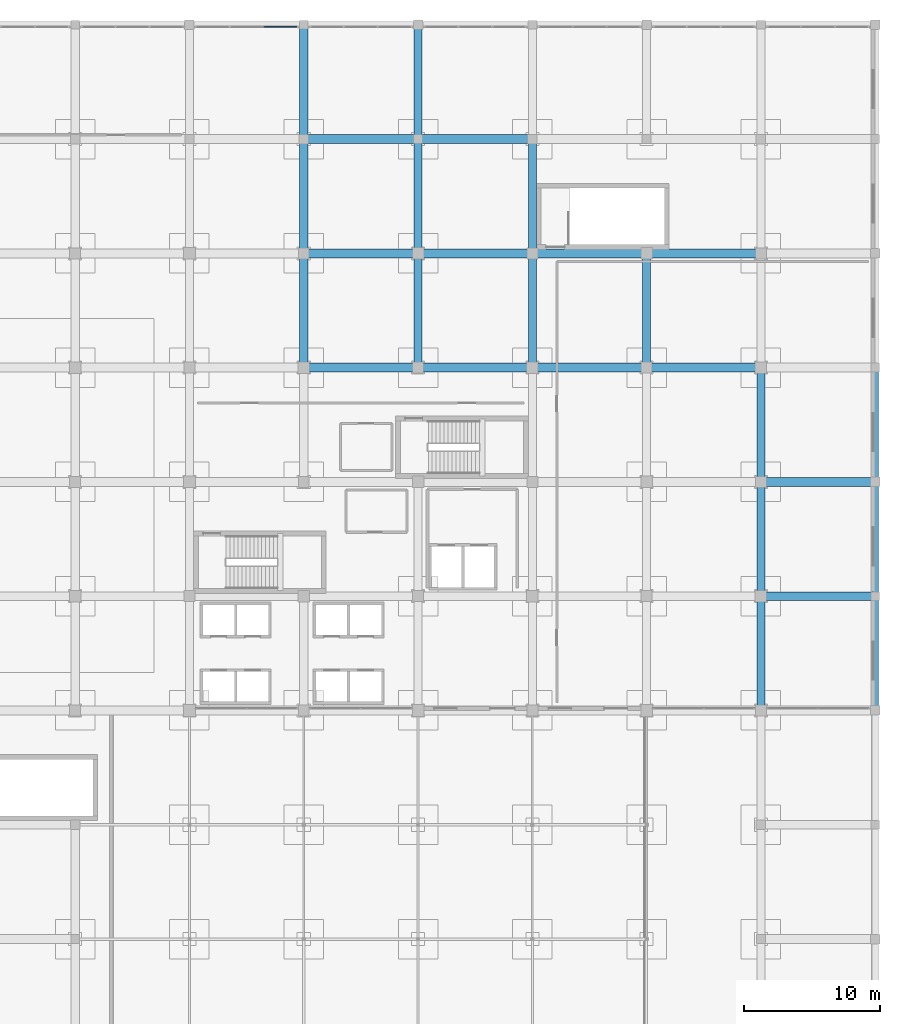
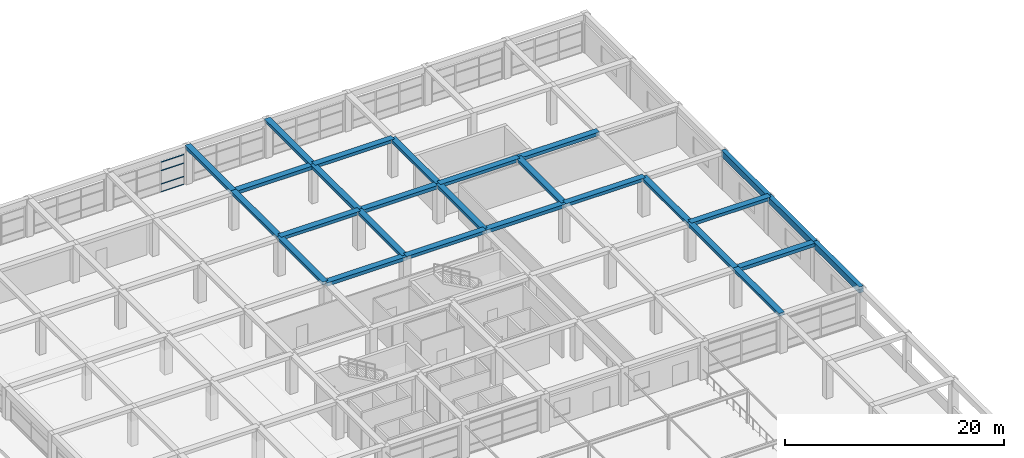
# One storey, part 58 of 85: 27 beams, 4 members, 1 element without a shape of its own.
"""IFC4 building model written with IfcOpenShell, lengths in metres."""

from ifc_helpers import new_model, si_unit, direction, frame, origin, origin_2d, place, context, subcontext, project, spatial, rectangle, hollow_rectangle, extrude, material, material_profile, profile_set, type_object, element, aggregate, save


model = new_model("IFC4")

# Units and contexts
model_context = context("Model", 3, precision=1e-05, world=origin(), true_north=direction((0.0, 1.0)))
body_context = subcontext(model_context, "Body", "Model", "MODEL_VIEW")
ifc_project = project(units=[si_unit("LENGTHUNIT", "METRE"), si_unit("AREAUNIT", "SQUARE_METRE"), si_unit("VOLUMEUNIT", "CUBIC_METRE"), si_unit("PLANEANGLEUNIT", "RADIAN"), si_unit("MASSUNIT", "GRAM", prefix="KILO")], contexts=[model_context])

# Site, building, storey
site_placement = place(None, origin())
site = spatial("IfcSite", under=ifc_project, at=site_placement, CompositionType="ELEMENT")
building_placement = place(site_placement, origin())
building = spatial("IfcBuilding", under=site, at=building_placement, Name="Almacenes y Pasaje Nevantli", CompositionType="ELEMENT")
storey_placement = place(building_placement, frame((0.0, 0.0, 22.199951171875)))
storey = spatial("IfcBuildingStorey", under=building, at=storey_placement, Name="L05", CompositionType="ELEMENT", Elevation=22.199951171875)

# Beams
ifc_material_1 = material(Name="Concrete C35/45", Category="concrete")
ifc_material_profile_1 = material_profile(ifc_material_1, rectangle(XDim=0.449951171875, YDim=0.699951171875, at=origin_2d()), Name="RC-BM-450x700")
ifc_profile_set_1 = profile_set([ifc_material_profile_1], Name="Concrete C35/45")
beam_type_1 = type_object("IfcBeamType", Name="BM-RC-450x700", PredefinedType="SPANDREL", material=ifc_profile_set_1)
beam_1_placement = place(storey_placement, frame((168.0, 67.199951171875, 3.8701171875), z_axis=(0.0, 1.0, 0.0), x_axis=(-1.0, 0.0, 0.0)))
element("IfcBeam", 1, at=beam_1_placement, inside=storey, type_object=beam_type_1, Name="L05 North-South Reinforced Concrete Beam #3567", PredefinedType="SPANDREL", context=body_context, shape_type="SweptSolid", body=[
    extrude(rectangle(XDim=0.449951171875, YDim=0.699951171875, at=origin_2d()), origin(), (0.0, 0.0, 1.0), 8.400146484375),
])
for number, where, z_axis, x_axis, name in (
    (2, (168.0, 75.60009765625, 3.8701171875), (0.0, 1.0, 0.0), (-1.0, 0.0, 0.0), "L05 North-South Reinforced Concrete Beam #3568"),
    (3, (168.0, 84.0, 3.8701171875), (0.0, 1.0, 0.0), (-1.0, 0.0, 0.0), "L05 North-South Reinforced Concrete Beam #3569"),
):
    element("IfcBeam", number, at=place(storey_placement, frame(where, z_axis=z_axis, x_axis=x_axis)), inside=storey, type_object=beam_type_1, Name=name, PredefinedType="SPANDREL", context=body_context, shape_type="SweptSolid", body=[
        extrude(rectangle(XDim=0.449951171875, YDim=0.699951171875, at=origin_2d()), origin(), (0.0, 0.0, 1.0), 8.39990234375),
    ])
ifc_material_2 = material(Name="Concrete C35/45", Category="concrete")
ifc_material_profile_2 = material_profile(ifc_material_2, rectangle(XDim=0.60009765625, YDim=0.320068359375, at=origin_2d()), Name="RC-BM-600x320")
ifc_profile_set_2 = profile_set([ifc_material_profile_2], Name="Concrete C35/45")
beam_type_2 = type_object("IfcBeamType", Name="BM-RC-600x320", PredefinedType="BEAM", material=ifc_profile_set_2)
beam_2_placement = place(storey_placement, frame((126.0, 100.800048828125, 4.06005859375), z_axis=(0.0, 1.0, 0.0), x_axis=(-1.0, 0.0, 0.0)))
element("IfcBeam", 4, at=beam_2_placement, inside=storey, type_object=beam_type_2, Name="L05 North-South Reinforced Concrete Beam #3519", PredefinedType="BEAM", context=body_context, shape_type="SweptSolid", body=[
    extrude(rectangle(XDim=0.60009765625, YDim=0.320068359375, at=origin_2d()), origin(), (0.0, 0.0, 1.0), 8.39990234375),
])
for number, where, z_axis, x_axis, name in (
    (5, (134.39990234375, 92.39990234375, 4.06005859375), (0.0, 1.0, 0.0), (-1.0, 0.0, 0.0), "L05 North-South Reinforced Concrete Beam #3525"),
    (6, (134.39990234375, 109.199951171875, 4.06005859375), (0.0, 1.0, 0.0), (-1.0, 0.0, 0.0), "L05 North-South Reinforced Concrete Beam #3527"),
):
    element("IfcBeam", number, at=place(storey_placement, frame(where, z_axis=z_axis, x_axis=x_axis)), inside=storey, type_object=beam_type_2, Name=name, PredefinedType="BEAM", context=body_context, shape_type="SweptSolid", body=[
        extrude(rectangle(XDim=0.60009765625, YDim=0.320068359375, at=origin_2d()), origin(), (0.0, 0.0, 1.0), 8.400146484375),
    ])
beam_3_placement = place(storey_placement, frame((142.800048828125, 100.800048828125, 4.06005859375), z_axis=(0.0, 1.0, 0.0), x_axis=(-1.0, 0.0, 0.0)))
element("IfcBeam", 7, at=beam_3_placement, inside=storey, type_object=beam_type_2, Name="L05 North-South Reinforced Concrete Beam #3535", PredefinedType="BEAM", context=body_context, shape_type="SweptSolid", body=[
    extrude(rectangle(XDim=0.60009765625, YDim=0.320068359375, at=origin_2d()), origin(), (0.0, 0.0, 1.0), 8.39990234375),
])
for number, where, z_axis, x_axis, name in (
    (8, (151.199951171875, 92.39990234375, 4.06005859375), (0.0, 1.0, 0.0), (-1.0, 0.0, 0.0), "L05 North-South Reinforced Concrete Beam #3543"),
    (9, (159.60009765625, 67.199951171875, 4.06005859375), (0.0, 1.0, 0.0), (-1.0, 0.0, 0.0), "L05 North-South Reinforced Concrete Beam #3553"),
):
    element("IfcBeam", number, at=place(storey_placement, frame(where, z_axis=z_axis, x_axis=x_axis)), inside=storey, type_object=beam_type_2, Name=name, PredefinedType="BEAM", context=body_context, shape_type="SweptSolid", body=[
        extrude(rectangle(XDim=0.60009765625, YDim=0.320068359375, at=origin_2d()), origin(), (0.0, 0.0, 1.0), 8.400146484375),
    ])
beam_4_placement = place(storey_placement, frame((159.60009765625, 84.0, 4.06005859375), z_axis=(0.0, 1.0, 0.0), x_axis=(-1.0, 0.0, 0.0)))
element("IfcBeam", 10, at=beam_4_placement, inside=storey, type_object=beam_type_2, Name="L05 North-South Reinforced Concrete Beam #3555", PredefinedType="BEAM", context=body_context, shape_type="SweptSolid", body=[
    extrude(rectangle(XDim=0.60009765625, YDim=0.320068359375, at=origin_2d()), origin(), (0.0, 0.0, 1.0), 8.39990234375),
])
ifc_material_3 = material(Name="Concrete C35/45", Category="concrete")
ifc_material_profile_3 = material_profile(ifc_material_3, rectangle(XDim=0.60009765625, YDim=0.340087890625, at=origin_2d()), Name="RC-BM-600x340")
ifc_profile_set_3 = profile_set([ifc_material_profile_3], Name="Concrete C35/45")
beam_type_3 = type_object("IfcBeamType", Name="BM-RC-600x340", PredefinedType="BEAM", material=ifc_profile_set_3)
for number, where, z_axis, x_axis, name in (
    (11, (126.0, 92.39990234375, 4.050048828125), (0.0, 1.0, 0.0), (-1.0, 0.0, 0.0), "L05 North-South Reinforced Concrete Beam #3518"),
    (12, (126.0, 109.199951171875, 4.050048828125), (0.0, 1.0, 0.0), (-1.0, 0.0, 0.0), "L05 North-South Reinforced Concrete Beam #3520"),
):
    element("IfcBeam", number, at=place(storey_placement, frame(where, z_axis=z_axis, x_axis=x_axis)), inside=storey, type_object=beam_type_3, Name=name, PredefinedType="BEAM", context=body_context, shape_type="SweptSolid", body=[
        extrude(rectangle(XDim=0.60009765625, YDim=0.340087890625, at=origin_2d()), origin(), (0.0, 0.0, 1.0), 8.400146484375),
    ])
beam_5_placement = place(storey_placement, frame((134.39990234375, 100.800048828125, 4.050048828125), z_axis=(0.0, 1.0, 0.0), x_axis=(-1.0, 0.0, 0.0)))
element("IfcBeam", 13, at=beam_5_placement, inside=storey, type_object=beam_type_3, Name="L05 North-South Reinforced Concrete Beam #3526", PredefinedType="BEAM", context=body_context, shape_type="SweptSolid", body=[
    extrude(rectangle(XDim=0.60009765625, YDim=0.340087890625, at=origin_2d()), origin(), (0.0, 0.0, 1.0), 8.39990234375),
])
beam_6_placement = place(storey_placement, frame((142.800048828125, 92.39990234375, 4.050048828125), z_axis=(0.0, 1.0, 0.0), x_axis=(-1.0, 0.0, 0.0)))
element("IfcBeam", 14, at=beam_6_placement, inside=storey, type_object=beam_type_3, Name="L05 North-South Reinforced Concrete Beam #3534", PredefinedType="BEAM", context=body_context, shape_type="SweptSolid", body=[
    extrude(rectangle(XDim=0.60009765625, YDim=0.340087890625, at=origin_2d()), origin(), (0.0, 0.0, 1.0), 8.400146484375),
])
beam_7_placement = place(storey_placement, frame((159.60009765625, 75.60009765625, 4.050048828125), z_axis=(0.0, 1.0, 0.0), x_axis=(-1.0, 0.0, 0.0)))
element("IfcBeam", 15, at=beam_7_placement, inside=storey, type_object=beam_type_3, Name="L05 North-South Reinforced Concrete Beam #3554", PredefinedType="BEAM", context=body_context, shape_type="SweptSolid", body=[
    extrude(rectangle(XDim=0.60009765625, YDim=0.340087890625, at=origin_2d()), origin(), (0.0, 0.0, 1.0), 8.39990234375),
])
ifc_material_4 = material(Name="Concrete C35/45", Category="concrete")
ifc_material_profile_4 = material_profile(ifc_material_4, rectangle(XDim=0.64990234375, YDim=0.35009765625, at=origin_2d()), Name="RC-BM-650x350")
ifc_profile_set_4 = profile_set([ifc_material_profile_4], Name="Concrete C35/45")
beam_type_4 = type_object("IfcBeamType", Name="BM-RC-650x350", PredefinedType="BEAM", material=ifc_profile_set_4)
beam_8_placement = place(storey_placement, frame((159.60009765625, 84.0, 4.045166015625), z_axis=(1.0, 0.0, 0.0), x_axis=(0.0, 1.0, 0.0)))
element("IfcBeam", 16, at=beam_8_placement, inside=storey, type_object=beam_type_4, Name="L05 East-West Reinforced Concrete Beam #3353", PredefinedType="BEAM", context=body_context, shape_type="SweptSolid", body=[
    extrude(rectangle(XDim=0.64990234375, YDim=0.35009765625, at=origin_2d()), origin(), (0.0, 0.0, 1.0), 8.39990234375),
])
for number, where, z_axis, x_axis, name in (
    (17, (134.39990234375, 92.39990234375, 4.045166015625), (1.0, 0.0, 0.0), (0.0, 1.0, 0.0), "L05 East-West Reinforced Concrete Beam #3367"),
    (18, (151.199951171875, 92.39990234375, 4.045166015625), (1.0, 0.0, 0.0), (0.0, 1.0, 0.0), "L05 East-West Reinforced Concrete Beam #3369"),
):
    element("IfcBeam", number, at=place(storey_placement, frame(where, z_axis=z_axis, x_axis=x_axis)), inside=storey, type_object=beam_type_4, Name=name, PredefinedType="BEAM", context=body_context, shape_type="SweptSolid", body=[
        extrude(rectangle(XDim=0.64990234375, YDim=0.35009765625, at=origin_2d()), origin(), (0.0, 0.0, 1.0), 8.400146484375),
    ])
for number, where, z_axis, x_axis, name in (
    (19, (126.0, 100.800048828125, 4.045166015625), (1.0, 0.0, 0.0), (0.0, 1.0, 0.0), "L05 East-West Reinforced Concrete Beam #3383"),
    (20, (142.800048828125, 100.800048828125, 4.045166015625), (1.0, 0.0, 0.0), (0.0, 1.0, 0.0), "L05 East-West Reinforced Concrete Beam #3385"),
):
    element("IfcBeam", number, at=place(storey_placement, frame(where, z_axis=z_axis, x_axis=x_axis)), inside=storey, type_object=beam_type_4, Name=name, PredefinedType="BEAM", context=body_context, shape_type="SweptSolid", body=[
        extrude(rectangle(XDim=0.64990234375, YDim=0.35009765625, at=origin_2d()), origin(), (0.0, 0.0, 1.0), 8.39990234375),
    ])
beam_9_placement = place(storey_placement, frame((134.39990234375, 109.199951171875, 4.045166015625), z_axis=(1.0, 0.0, 0.0), x_axis=(0.0, 1.0, 0.0)))
element("IfcBeam", 21, at=beam_9_placement, inside=storey, type_object=beam_type_4, Name="L05 East-West Reinforced Concrete Beam #3401", PredefinedType="BEAM", context=body_context, shape_type="SweptSolid", body=[
    extrude(rectangle(XDim=0.64990234375, YDim=0.35009765625, at=origin_2d()), origin(), (0.0, 0.0, 1.0), 8.400146484375),
])
ifc_material_5 = material(Name="Concrete C35/45", Category="concrete")
ifc_material_profile_5 = material_profile(ifc_material_5, rectangle(XDim=0.64990234375, YDim=0.3798828125, at=origin_2d()), Name="RC-BM-650x380")
ifc_profile_set_5 = profile_set([ifc_material_profile_5], Name="Concrete C35/45")
beam_type_5 = type_object("IfcBeamType", Name="BM-RC-650x380", PredefinedType="BEAM", material=ifc_profile_set_5)
for number, where, z_axis, x_axis, name in (
    (22, (159.60009765625, 75.60009765625, 4.030029296875), (1.0, 0.0, 0.0), (0.0, 1.0, 0.0), "L05 East-West Reinforced Concrete Beam #3336"),
    (23, (126.0, 92.39990234375, 4.030029296875), (1.0, 0.0, 0.0), (0.0, 1.0, 0.0), "L05 East-West Reinforced Concrete Beam #3366"),
    (24, (142.800048828125, 92.39990234375, 4.030029296875), (1.0, 0.0, 0.0), (0.0, 1.0, 0.0), "L05 East-West Reinforced Concrete Beam #3368"),
):
    element("IfcBeam", number, at=place(storey_placement, frame(where, z_axis=z_axis, x_axis=x_axis)), inside=storey, type_object=beam_type_5, Name=name, PredefinedType="BEAM", context=body_context, shape_type="SweptSolid", body=[
        extrude(rectangle(XDim=0.64990234375, YDim=0.3798828125, at=origin_2d()), origin(), (0.0, 0.0, 1.0), 8.39990234375),
    ])
for number, where, z_axis, x_axis, name in (
    (25, (134.39990234375, 100.800048828125, 4.030029296875), (1.0, 0.0, 0.0), (0.0, 1.0, 0.0), "L05 East-West Reinforced Concrete Beam #3384"),
    (26, (151.199951171875, 100.800048828125, 4.030029296875), (1.0, 0.0, 0.0), (0.0, 1.0, 0.0), "L05 East-West Reinforced Concrete Beam #3386"),
):
    element("IfcBeam", number, at=place(storey_placement, frame(where, z_axis=z_axis, x_axis=x_axis)), inside=storey, type_object=beam_type_5, Name=name, PredefinedType="BEAM", context=body_context, shape_type="SweptSolid", body=[
        extrude(rectangle(XDim=0.64990234375, YDim=0.3798828125, at=origin_2d()), origin(), (0.0, 0.0, 1.0), 8.400146484375),
    ])
beam_10_placement = place(storey_placement, frame((126.0, 109.199951171875, 4.030029296875), z_axis=(1.0, 0.0, 0.0), x_axis=(0.0, 1.0, 0.0)))
element("IfcBeam", 27, at=beam_10_placement, inside=storey, type_object=beam_type_5, Name="L05 East-West Reinforced Concrete Beam #3400", PredefinedType="BEAM", context=body_context, shape_type="SweptSolid", body=[
    extrude(rectangle(XDim=0.64990234375, YDim=0.3798828125, at=origin_2d()), origin(), (0.0, 0.0, 1.0), 8.39990234375),
])

# Curtain wall, members
ifc_material_6 = material(Name="Thermally Broken Aluminium and Low-E Glass", Category="aluminium")
curtain_wall_type = type_object("IfcCurtainWallType", Name="CW-UNIT-PODIUM", PredefinedType="USERDEFINED", material=ifc_material_6)
curtain_wall_placement = place(storey_placement, origin())
curtain_wall = element("IfcCurtainWall", 28, at=curtain_wall_placement, inside=storey, type_object=curtain_wall_type, Name="L05 Sky-Lobby North Curtain Wall Bay 15", ObjectType="UNITIZED CURTAIN WALL", PredefinedType="USERDEFINED")
ifc_material_7 = material(Name="Thermally Broken Anodized Aluminium", Category="aluminium")
ifc_material_profile_6 = material_profile(ifc_material_7, hollow_rectangle(XDim=0.054931640625, YDim=0.10498046875, WallThickness=0.003173828125, at=origin_2d()), Name="ALU-TRN-55x105")
ifc_profile_set_6 = profile_set([ifc_material_profile_6], Name="Thermally Broken Anodized Aluminium")
member_type = type_object("IfcMemberType", Name="CW-TRN-120", PredefinedType="USERDEFINED", material=ifc_profile_set_6)
member_1_placement = place(storey_placement, frame((123.077392578125, 117.449951171875, 0.027587890625), z_axis=(1.0, 0.0, 0.0), x_axis=(0.0, 1.0, 0.0)))
member_1 = element("IfcMember", 29, at=member_1_placement, type_object=member_type, Name="CW-L05-086 transom 3.1", ObjectType="TRANSOM", PredefinedType="USERDEFINED", context=body_context, shape_type="SweptSolid", body=[
    extrude(hollow_rectangle(XDim=0.054931640625, YDim=0.10498046875, WallThickness=0.003173828125, at=origin_2d()), origin(), (0.0, 0.0, 1.0), 2.417724609375),
])
member_2_placement = place(storey_placement, frame((123.077392578125, 117.449951171875, 0.900146484375), z_axis=(1.0, 0.0, 0.0), x_axis=(0.0, 1.0, 0.0)))
member_2 = element("IfcMember", 30, at=member_2_placement, type_object=member_type, Name="CW-L05-086 transom 3.2", ObjectType="TRANSOM", PredefinedType="USERDEFINED", context=body_context, shape_type="SweptSolid", body=[
    extrude(hollow_rectangle(XDim=0.054931640625, YDim=0.10498046875, WallThickness=0.003173828125, at=origin_2d()), origin(), (0.0, 0.0, 1.0), 2.417724609375),
])
member_3_placement = place(storey_placement, frame((123.077392578125, 117.449951171875, 2.400146484375), z_axis=(1.0, 0.0, 0.0), x_axis=(0.0, 1.0, 0.0)))
member_3 = element("IfcMember", 31, at=member_3_placement, type_object=member_type, Name="CW-L05-086 transom 3.3", ObjectType="TRANSOM", PredefinedType="USERDEFINED", context=body_context, shape_type="SweptSolid", body=[
    extrude(hollow_rectangle(XDim=0.054931640625, YDim=0.10498046875, WallThickness=0.003173828125, at=origin_2d()), origin(), (0.0, 0.0, 1.0), 2.417724609375),
])
member_4_placement = place(storey_placement, frame((123.077392578125, 117.449951171875, 3.342529296875), z_axis=(1.0, 0.0, 0.0), x_axis=(0.0, 1.0, 0.0)))
member_4 = element("IfcMember", 32, at=member_4_placement, type_object=member_type, Name="CW-L05-086 transom 3.4", ObjectType="TRANSOM", PredefinedType="USERDEFINED", context=body_context, shape_type="SweptSolid", body=[
    extrude(hollow_rectangle(XDim=0.054931640625, YDim=0.10498046875, WallThickness=0.003173828125, at=origin_2d()), origin(), (0.0, 0.0, 1.0), 2.417724609375),
])
aggregate(curtain_wall, [member_1, member_2, member_3, member_4])

save(model, "model.ifc")
